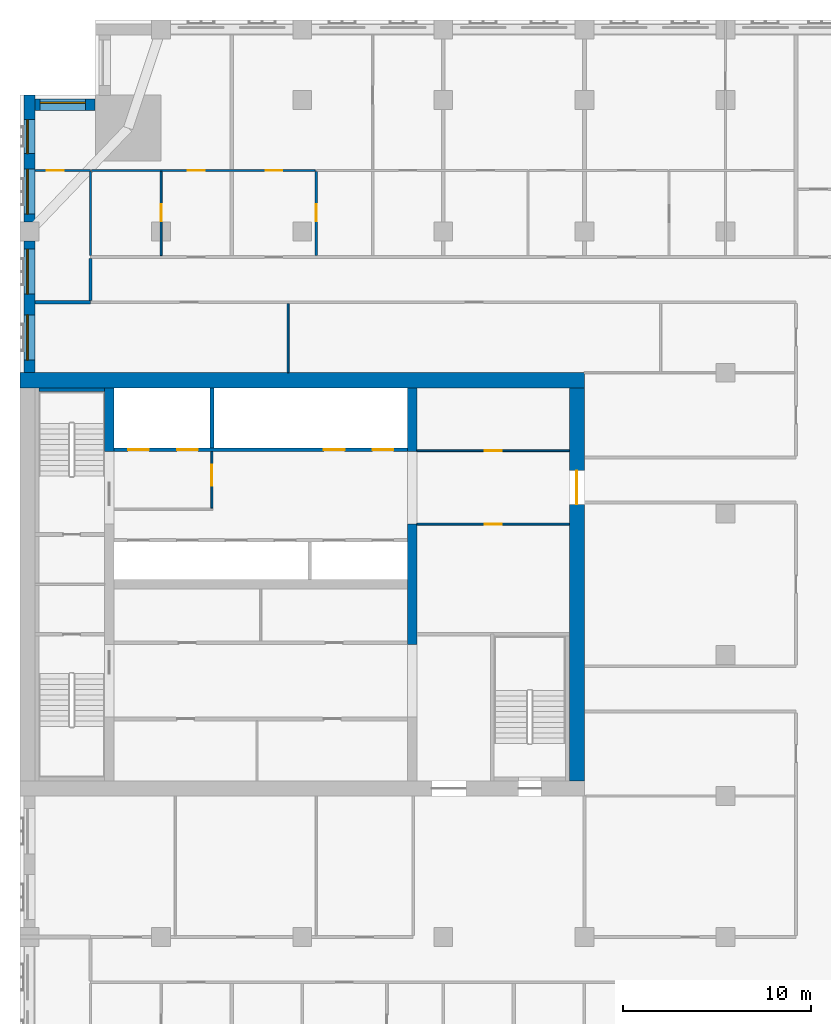
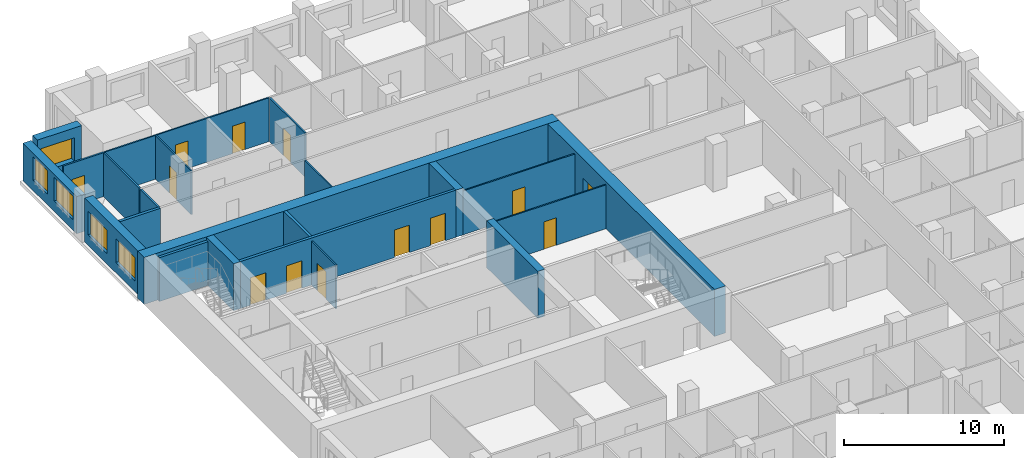
# One storey, part 8 of 13: 22 walls, 13 doors, 5 windows, 18 openings.
"""IFC4 building model written with IfcOpenShell, lengths in metres."""

import ifcopenshell
import ifcopenshell.guid

model = None  # the IFC model being written
_history = None  # IfcOwnerHistory: only IFC2X3 demands one
_inside = {}  # id of a spatial element -> (the spatial element, [elements in it])
_under = {}  # id of a project, library or spatial element -> (it, [spatial elements below it])
_declared = {}  # id of a project -> (the project, [libraries it declares])
_typed = {}  # id of a type object -> (the type object, [elements of that type])
_made_of = {}  # id of a material, layer set ... -> (it, [elements and type objects made of it])


def new_model(schema):
    """Start an empty IFC model of exactly this schema.

    Asked for "IFC4X3", IfcOpenShell would pick the latest addendum, in which some entities
    have other attributes; the version numbers below select the first issue.
    IFC2X3 requires an IfcOwnerHistory on every rooted entity: one is made here for all.
    """
    global model, _history
    if schema == "IFC4X3":
        model = ifcopenshell.file(schema_version=(4, 3, 0, 0))
    else:
        model = ifcopenshell.file(schema=schema)
    _inside.clear()
    _under.clear()
    _declared.clear()
    _typed.clear()
    _made_of.clear()
    _history = None
    if model.schema == "IFC2X3":
        org = make("IfcOrganization", Name="unknown")
        user = make(
            "IfcPersonAndOrganization",
            ThePerson=make("IfcPerson", FamilyName="unknown"),
            TheOrganization=org,
        )
        app = make(
            "IfcApplication",
            ApplicationDeveloper=org,
            Version="unknown",
            ApplicationFullName="unknown",
            ApplicationIdentifier="unknown",
        )
        _history = make(
            "IfcOwnerHistory",
            OwningUser=user,
            OwningApplication=app,
            ChangeAction="ADDED",
            CreationDate=0,
        )
    return model


def make(cls, **values):
    """One entity of the class cls with the attributes given. An attribute that is None is left unset."""
    return model.create_entity(
        cls, **{name: value for name, value in values.items() if value is not None}
    )


def rooted(cls, **values):
    """An entity with a GlobalId (a new one), such as an element, a storey or a relation."""
    return make(cls, GlobalId=ifcopenshell.guid.new(), OwnerHistory=_history, **values)


def si_unit(unit_type, name, prefix=None):
    """IfcSIUnit, for example si_unit("LENGTHUNIT", "METRE", prefix="MILLI")."""
    return make("IfcSIUnit", UnitType=unit_type, Prefix=prefix, Name=name)


def assignment(units):
    """IfcUnitAssignment: the units of a project."""
    return None if units is None else make("IfcUnitAssignment", Units=units)


def point(xyz):
    """IfcCartesianPoint."""
    return None if xyz is None else make("IfcCartesianPoint", Coordinates=xyz)


def direction(xyz):
    """IfcDirection."""
    return None if xyz is None else make("IfcDirection", DirectionRatios=xyz)


def frame(location, z_axis=None, x_axis=None):
    """IfcAxis2Placement3D, a coordinate frame: its origin and axes. An axis left out is left unset."""
    return make(
        "IfcAxis2Placement3D",
        Location=point(location),
        Axis=direction(z_axis),
        RefDirection=direction(x_axis),
    )


def frame_2d(location, x_axis=None):
    """IfcAxis2Placement2D, a coordinate frame in the plane: its origin and x axis."""
    return make(
        "IfcAxis2Placement2D", Location=point(location), RefDirection=direction(x_axis)
    )


def origin():
    """The frame at (0, 0, 0) with its axes left unset."""
    return frame((0.0, 0.0, 0.0))


def place(relative_to, where):
    """IfcLocalPlacement: puts the frame where relative to a parent placement (None: the world)."""
    return make(
        "IfcLocalPlacement", PlacementRelTo=relative_to, RelativePlacement=where
    )


def context(
    kind, dimensions, precision=None, world=None, true_north=None, identifier=None
):
    """IfcGeometricRepresentationContext, for example the 3D "Model" context."""
    return make(
        "IfcGeometricRepresentationContext",
        ContextIdentifier=identifier,
        ContextType=kind,
        CoordinateSpaceDimension=dimensions,
        Precision=precision,
        WorldCoordinateSystem=world,
        TrueNorth=true_north,
    )


def subcontext(parent, identifier, kind, view, scale=None):
    """IfcGeometricRepresentationSubContext, for example "Body" below "Model"."""
    return make(
        "IfcGeometricRepresentationSubContext",
        ContextIdentifier=identifier,
        ContextType=kind,
        ParentContext=parent,
        TargetScale=scale,
        TargetView=view,
    )


def project(units=None, contexts=None):
    """IfcProject with its units and contexts."""
    return rooted(
        "IfcProject",
        Name="project",
        RepresentationContexts=contexts,
        UnitsInContext=assignment(units),
    )


def spatial(cls, under=None, at=None, **own):
    """A site, building, storey or space (cls), placed at a placement, below another one or the project."""
    s = rooted(cls, ObjectPlacement=at, **own)
    if under is not None:
        _under.setdefault(under.id(), (under, []))[1].append(s)
    return s


def profile(cls, at=None, kind="AREA", **sizes):
    """A parametric profile (cls). Its sizes go by their IFC names, for example OverallWidth=200.0."""
    return make(cls, ProfileType=kind, Position=at, **sizes)


def rectangle(**sizes):
    """IfcRectangleProfileDef."""
    return profile("IfcRectangleProfileDef", **sizes)


def extrude(swept, where, along, depth):
    """IfcExtrudedAreaSolid: the profile swept, set in the frame where, extruded along a direction by depth."""
    return make(
        "IfcExtrudedAreaSolid",
        SweptArea=swept,
        Position=where,
        ExtrudedDirection=direction(along),
        Depth=depth,
    )


def shape(context_of_items, identifier, shape_type, items):
    """IfcShapeRepresentation: the items that make up one representation, for example the "Body"."""
    return make(
        "IfcShapeRepresentation",
        ContextOfItems=context_of_items,
        RepresentationIdentifier=identifier,
        RepresentationType=shape_type,
        Items=items,
    )


def material(Name=None, Category=None):
    """IfcMaterial."""
    return make("IfcMaterial", Name=Name, Category=Category)


def layer(
    of_material, thickness, ventilated=None, Name=None, Category=None, Priority=None
):
    """IfcMaterialLayer: one layer of a wall or slab, of a material (None: an air gap)."""
    return make(
        "IfcMaterialLayer",
        Material=of_material,
        LayerThickness=thickness,
        IsVentilated=ventilated,
        Name=Name,
        Category=Category,
        Priority=Priority,
    )


def layer_set(layers, Name=None):
    """IfcMaterialLayerSet."""
    return make("IfcMaterialLayerSet", MaterialLayers=layers, LayerSetName=Name)


def made_of(thing, what):
    """Note that an element or type object is made of a material, layer set ...; save() writes the relation."""
    if what is not None:
        _made_of.setdefault(what.id(), (what, []))[1].append(thing)
    return thing


def type_object(cls, material=None, **own):
    """A type object (cls), such as IfcWallType, which elements share."""
    return made_of(rooted(cls, **own), material)


def element(
    cls,
    number,
    at=None,
    inside=None,
    cuts=None,
    type_object=None,
    material=None,
    context=None,
    identifier="Body",
    shape_type=None,
    held_by="IfcProductDefinitionShape",
    body=None,
    shapes=None,
    **own,
):
    """One element of the class cls, such as IfcWall. Its Tag is "e" and its number.

    at: its placement. inside: the storey or other place that contains it. cuts: it is an
    opening in that element (IfcRelVoidsElement). A single representation is given by context,
    identifier, shape_type and body (its items); several are given by shapes. held_by: the class
    of the entity that holds the representations. save() writes the other relations.
    """
    e = rooted(cls, Tag="e%d" % number, ObjectPlacement=at, **own)
    if body is not None:
        shapes = [shape(context, identifier, shape_type, body)]
    if shapes is not None:
        e.Representation = make(held_by, Representations=shapes)
    if inside is not None:
        _inside.setdefault(inside.id(), (inside, []))[1].append(e)
    if cuts is not None:
        rooted(
            "IfcRelVoidsElement", RelatingBuildingElement=cuts, RelatedOpeningElement=e
        )
    if type_object is not None:
        _typed.setdefault(type_object.id(), (type_object, []))[1].append(e)
    return made_of(e, material)


def fill(opening, filler):
    """IfcRelFillsElement: the door or window that sits in an opening."""
    return rooted(
        "IfcRelFillsElement",
        RelatingOpeningElement=opening,
        RelatedBuildingElement=filler,
    )


def aggregate(whole, parts):
    """IfcRelAggregates: a whole, such as a stair, and the parts it consists of."""
    return rooted("IfcRelAggregates", RelatingObject=whole, RelatedObjects=parts)


def save(model, path):
    """Write the relations noted so far, then the file.

    IfcRelAggregates (storeys below a building ...), IfcRelContainedInSpatialStructure (elements
    in a storey), IfcRelDefinesByType, IfcRelAssociatesMaterial and IfcRelDeclares: one each for
    every whole, place, type object, material and project.
    """
    for whole, parts in _under.values():
        aggregate(whole, parts)
    for where, things in _inside.values():
        rooted(
            "IfcRelContainedInSpatialStructure",
            RelatedElements=things,
            RelatingStructure=where,
        )
    for kind, things in _typed.values():
        rooted("IfcRelDefinesByType", RelatedObjects=things, RelatingType=kind)
    for what, things in _made_of.values():
        rooted("IfcRelAssociatesMaterial", RelatedObjects=things, RelatingMaterial=what)
    for by, libraries in _declared.values():
        rooted("IfcRelDeclares", RelatingContext=by, RelatedDefinitions=libraries)
    model.write(path)


model = new_model("IFC4")

# Units and contexts
model_context = context("Model", 3, precision=1e-05, world=origin(), true_north=direction((0.0, 1.0)))
body_context = subcontext(model_context, "Body", "Model", "MODEL_VIEW")
ifc_project = project(units=[si_unit("LENGTHUNIT", "METRE"), si_unit("AREAUNIT", "SQUARE_METRE"), si_unit("VOLUMEUNIT", "CUBIC_METRE"), si_unit("PLANEANGLEUNIT", "RADIAN"), si_unit("MASSUNIT", "GRAM", prefix="KILO")], contexts=[model_context])

# Site, building, storey
site_placement = place(None, origin())
site = spatial("IfcSite", under=ifc_project, at=site_placement, CompositionType="ELEMENT")
building_placement = place(site_placement, origin())
building = spatial("IfcBuilding", under=site, at=building_placement, Name="Tamorin Gate", CompositionType="ELEMENT")
storey_placement = place(building_placement, frame((0.0, 0.0, 144.60009765625)))
storey = spatial("IfcBuildingStorey", under=building, at=storey_placement, Name="L35", CompositionType="ELEMENT", Elevation=144.60009765625)

# Wall, opening, window
ifc_material_1 = material(Name="Precast concrete C40/50", Category="concrete")
ifc_layer_1 = layer(ifc_material_1, 0.60009765625)
ifc_layer_set_1 = layer_set([ifc_layer_1], Name="Precast concrete C40/50")
wall_type_1 = type_object("IfcWallType", Name="Board-marked concrete facade panel 600", PredefinedType="SOLIDWALL", material=ifc_layer_set_1)
wall_1_placement = place(storey_placement, frame((34.0, 96.75, 0.0), z_axis=(0.0, 0.0, 1.0), x_axis=(-1.0, 0.0, 0.0)))
wall_1 = element("IfcWall", 1, at=wall_1_placement, inside=storey, type_object=wall_type_1, Name="Facade panel", PredefinedType="SOLIDWALL", context=body_context, shape_type="SweptSolid", body=[
    extrude(rectangle(XDim=3.199951171875, YDim=0.60009765625, at=frame_2d((1.60009765625, 0.0))), origin(), (0.0, 0.0, 1.0), 3.349853515625),
])
opening_1_placement = place(wall_1_placement, frame((0.52490234375, 0.0, 0.800048828125)))
opening_1 = element("IfcOpeningElement", 2, at=opening_1_placement, cuts=wall_1, Name="Opening WN1", PredefinedType="OPENING", context=body_context, shape_type="SweptSolid", body=[
    extrude(rectangle(XDim=2.39990234375, YDim=1.800048828125, at=frame_2d((1.199951171875, 0.89990234375))), frame((0.0, 0.31005859375, 0.0), z_axis=(0.0, -1.0, 0.0), x_axis=(1.0, 0.0, 0.0)), (0.0, 0.0, 1.0), 0.6201171875),
])
ifc_material_2 = material(Name="Clear glass in aluminium frame", Category="aluminium")
window_type_1 = type_object("IfcWindowType", Name="Deep-set window 2400x1800", PartitioningType="SINGLE_PANEL", PredefinedType="WINDOW", material=ifc_material_2)
window_1_placement = place(opening_1_placement, origin())
window_1 = element("IfcWindow", 3, at=window_1_placement, inside=storey, type_object=window_type_1, Name="Deep-set window", OverallHeight=1.800048828125, OverallWidth=2.39990234375, PartitioningType="SINGLE_PANEL", PredefinedType="WINDOW", context=body_context, shape_type="SweptSolid", body=[
    extrude(rectangle(XDim=2.39990234375, YDim=1.800048828125, at=frame_2d((1.199951171875, 0.89990234375))), frame((0.0, -0.070068359375, 0.0), z_axis=(0.0, -1.0, 0.0), x_axis=(1.0, 0.0, 0.0)), (0.0, 0.0, 1.0), 0.06005859375),
])
fill(opening_1, window_1)

# Wall, openings, windows
wall_2_placement = place(storey_placement, frame((30.5, 97.25, 0.0), z_axis=(0.0, 0.0, 1.0), x_axis=(0.0, -1.0, 0.0)))
wall_2 = element("IfcWall", 4, at=wall_2_placement, inside=storey, type_object=wall_type_1, Name="Facade panel", PredefinedType="SOLIDWALL", context=body_context, shape_type="SweptSolid", body=[
    extrude(rectangle(XDim=6.75, YDim=0.60009765625, at=frame_2d((3.375, 0.0))), origin(), (0.0, 0.0, 1.0), 2.849853515625),
])
opening_2_placement = place(wall_2_placement, frame((3.925048828125, 0.0, 0.800048828125)))
opening_2 = element("IfcOpeningElement", 5, at=opening_2_placement, cuts=wall_2, Name="Opening WN1", PredefinedType="OPENING", context=body_context, shape_type="SweptSolid", body=[
    extrude(rectangle(XDim=2.39990234375, YDim=1.800048828125, at=frame_2d((1.199951171875, 0.89990234375))), frame((0.0, 0.31005859375, 0.0), z_axis=(0.0, -1.0, 0.0), x_axis=(1.0, 0.0, 0.0)), (0.0, 0.0, 1.0), 0.6201171875),
])
opening_3_placement = place(wall_2_placement, frame((1.300048828125, 0.0, 0.800048828125)))
opening_3 = element("IfcOpeningElement", 6, at=opening_3_placement, cuts=wall_2, Name="Opening WN2", PredefinedType="OPENING", context=body_context, shape_type="SweptSolid", body=[
    extrude(rectangle(XDim=1.800048828125, YDim=1.800048828125, at=frame_2d((0.89990234375, 0.89990234375))), frame((0.0, 0.31005859375, 0.0), z_axis=(0.0, -1.0, 0.0), x_axis=(1.0, 0.0, 0.0)), (0.0, 0.0, 1.0), 0.6201171875),
])
window_type_2 = type_object("IfcWindowType", Name="Deep-set window 1800x1800", PartitioningType="SINGLE_PANEL", PredefinedType="WINDOW", material=ifc_material_2)
window_2_placement = place(opening_3_placement, origin())
window_2 = element("IfcWindow", 7, at=window_2_placement, inside=storey, type_object=window_type_2, Name="Deep-set window", OverallHeight=1.800048828125, OverallWidth=1.800048828125, PartitioningType="SINGLE_PANEL", PredefinedType="WINDOW", context=body_context, shape_type="SweptSolid", body=[
    extrude(rectangle(XDim=1.800048828125, YDim=1.800048828125, at=frame_2d((0.89990234375, 0.89990234375))), frame((0.0, -0.070068359375, 0.0), z_axis=(0.0, -1.0, 0.0), x_axis=(1.0, 0.0, 0.0)), (0.0, 0.0, 1.0), 0.06005859375),
])
fill(opening_3, window_2)
window_3_placement = place(opening_2_placement, origin())
window_3 = element("IfcWindow", 8, at=window_3_placement, inside=storey, type_object=window_type_1, Name="Deep-set window", OverallHeight=1.800048828125, OverallWidth=2.39990234375, PartitioningType="SINGLE_PANEL", PredefinedType="WINDOW", context=body_context, shape_type="SweptSolid", body=[
    extrude(rectangle(XDim=2.39990234375, YDim=1.800048828125, at=frame_2d((1.199951171875, 0.89990234375))), frame((0.0, -0.070068359375, 0.0), z_axis=(0.0, -1.0, 0.0), x_axis=(1.0, 0.0, 0.0)), (0.0, 0.0, 1.0), 0.06005859375),
])
fill(opening_2, window_3)

wall_3_placement = place(storey_placement, frame((30.5, 89.5, 0.0), z_axis=(0.0, 0.0, 1.0), x_axis=(0.0, -1.0, 0.0)))
wall_3 = element("IfcWall", 9, at=wall_3_placement, inside=storey, type_object=wall_type_1, Name="Facade panel", PredefinedType="SOLIDWALL", context=body_context, shape_type="SweptSolid", body=[
    extrude(rectangle(XDim=7.0, YDim=0.60009765625, at=frame_2d((3.5, 0.0))), origin(), (0.0, 0.0, 1.0), 3.349853515625),
])
opening_4_placement = place(wall_3_placement, frame((3.925048828125, 0.0, 0.800048828125)))
opening_4 = element("IfcOpeningElement", 10, at=opening_4_placement, cuts=wall_3, Name="Opening WN1", PredefinedType="OPENING", context=body_context, shape_type="SweptSolid", body=[
    extrude(rectangle(XDim=2.39990234375, YDim=1.800048828125, at=frame_2d((1.199951171875, 0.89990234375))), frame((0.0, 0.31005859375, 0.0), z_axis=(0.0, -1.0, 0.0), x_axis=(1.0, 0.0, 0.0)), (0.0, 0.0, 1.0), 0.6201171875),
])
opening_5_placement = place(wall_3_placement, frame((0.425048828125, 0.0, 0.800048828125)))
opening_5 = element("IfcOpeningElement", 11, at=opening_5_placement, cuts=wall_3, Name="Opening WN1", PredefinedType="OPENING", context=body_context, shape_type="SweptSolid", body=[
    extrude(rectangle(XDim=2.39990234375, YDim=1.800048828125, at=frame_2d((1.199951171875, 0.89990234375))), frame((0.0, 0.31005859375, 0.0), z_axis=(0.0, -1.0, 0.0), x_axis=(1.0, 0.0, 0.0)), (0.0, 0.0, 1.0), 0.6201171875),
])
window_4_placement = place(opening_4_placement, origin())
window_4 = element("IfcWindow", 12, at=window_4_placement, inside=storey, type_object=window_type_1, Name="Deep-set window", OverallHeight=1.800048828125, OverallWidth=2.39990234375, PartitioningType="SINGLE_PANEL", PredefinedType="WINDOW", context=body_context, shape_type="SweptSolid", body=[
    extrude(rectangle(XDim=2.39990234375, YDim=1.800048828125, at=frame_2d((1.199951171875, 0.89990234375))), frame((0.0, -0.070068359375, 0.0), z_axis=(0.0, -1.0, 0.0), x_axis=(1.0, 0.0, 0.0)), (0.0, 0.0, 1.0), 0.06005859375),
])
fill(opening_4, window_4)
window_5_placement = place(opening_5_placement, origin())
window_5 = element("IfcWindow", 13, at=window_5_placement, inside=storey, type_object=window_type_1, Name="Deep-set window", OverallHeight=1.800048828125, OverallWidth=2.39990234375, PartitioningType="SINGLE_PANEL", PredefinedType="WINDOW", context=body_context, shape_type="SweptSolid", body=[
    extrude(rectangle(XDim=2.39990234375, YDim=1.800048828125, at=frame_2d((1.199951171875, 0.89990234375))), frame((0.0, -0.070068359375, 0.0), z_axis=(0.0, -1.0, 0.0), x_axis=(1.0, 0.0, 0.0)), (0.0, 0.0, 1.0), 0.06005859375),
])
fill(opening_5, window_5)

# Walls
ifc_material_3 = material(Name="Gypsum board partition")
ifc_layer_2 = layer(ifc_material_3, 0.14990234375)
ifc_layer_set_2 = layer_set([ifc_layer_2], Name="Corridor wall 150")
wall_type_2 = type_object("IfcWallType", Name="Corridor wall 150", PredefinedType="PARTITIONING", material=ifc_layer_set_2)
wall_4_placement = place(storey_placement, frame((33.75, 86.35009765625, 0.0), z_axis=(0.0, 0.0, 1.0), x_axis=(0.0, 1.0, 0.0)))
element("IfcWall", 14, at=wall_4_placement, inside=storey, type_object=wall_type_2, Name="Corridor wall 150", PredefinedType="PARTITIONING", context=body_context, shape_type="SweptSolid", body=[
    extrude(rectangle(XDim=2.224853515625, YDim=0.14990234375, at=frame_2d((1.1123046875, 0.0))), origin(), (0.0, 0.0, 1.0), 3.349853515625),
])
ifc_layer_3 = layer(ifc_material_3, 0.199951171875)
ifc_layer_set_3 = layer_set([ifc_layer_3], Name="Demising wall 200")
wall_type_3 = type_object("IfcWallType", Name="Demising wall 200", PredefinedType="PARTITIONING", material=ifc_layer_set_3)
wall_5_placement = place(storey_placement, frame((30.81005859375, 86.25, 0.0), z_axis=(0.0, 0.0, 1.0), x_axis=(1.0, 0.0, 0.0)))
element("IfcWall", 15, at=wall_5_placement, inside=storey, type_object=wall_type_3, Name="Demising wall 200", PredefinedType="PARTITIONING", context=body_context, shape_type="SweptSolid", body=[
    extrude(rectangle(XDim=2.93994140625, YDim=0.199951171875, at=frame_2d((1.469970703125, 0.0))), origin(), (0.0, 0.0, 1.0), 3.349853515625),
])

# Wall, openings, doors
ifc_material_4 = material(Name="Concrete C32/40", Category="concrete")
ifc_layer_4 = layer(ifc_material_4, 0.199951171875)
ifc_layer_set_4 = layer_set([ifc_layer_4], Name="Lift lobby face wall 200 EI 120")
wall_type_4 = type_object("IfcWallType", Name="Lift lobby face wall 200 EI 120", PredefinedType="SOLIDWALL", material=ifc_layer_set_4)
wall_6_placement = place(storey_placement, frame((35.0, 78.39990234375, 0.0), z_axis=(0.0, 0.0, 1.0), x_axis=(1.0, 0.0, 0.0)))
wall_6 = element("IfcWall", 16, at=wall_6_placement, inside=storey, type_object=wall_type_4, Name="Lift lobby face wall", PredefinedType="SOLIDWALL", context=body_context, shape_type="SweptSolid", body=[
    extrude(rectangle(XDim=15.60009765625, YDim=0.199951171875, at=frame_2d((7.800048828125, 0.0))), origin(), (0.0, 0.0, 1.0), 3.599853515625),
])
opening_6_placement = place(wall_6_placement, frame((0.75, 0.0, 0.0)))
opening_6 = element("IfcOpeningElement", 17, at=opening_6_placement, cuts=wall_6, Name="Opening LD17", PredefinedType="OPENING", context=body_context, shape_type="SweptSolid", body=[
    extrude(rectangle(XDim=1.10009765625, YDim=2.10009765625, at=frame_2d((0.550048828125, 1.050048828125))), frame((0.0, 0.10986328125, 0.0), z_axis=(0.0, -1.0, 0.0), x_axis=(1.0, 0.0, 0.0)), (0.0, 0.0, 1.0), 0.219970703125),
])
opening_7_placement = place(wall_6_placement, frame((3.35009765625, 0.0, 0.0)))
opening_7 = element("IfcOpeningElement", 18, at=opening_7_placement, cuts=wall_6, Name="Opening LD18", PredefinedType="OPENING", context=body_context, shape_type="SweptSolid", body=[
    extrude(rectangle(XDim=1.10009765625, YDim=2.10009765625, at=frame_2d((0.550048828125, 1.050048828125))), frame((0.0, 0.10986328125, 0.0), z_axis=(0.0, -1.0, 0.0), x_axis=(1.0, 0.0, 0.0)), (0.0, 0.0, 1.0), 0.219970703125),
])
opening_8_placement = place(wall_6_placement, frame((11.14990234375, 0.0, 0.0)))
opening_8 = element("IfcOpeningElement", 19, at=opening_8_placement, cuts=wall_6, Name="Opening LD21", PredefinedType="OPENING", context=body_context, shape_type="SweptSolid", body=[
    extrude(rectangle(XDim=1.10009765625, YDim=2.10009765625, at=frame_2d((0.550048828125, 1.050048828125))), frame((0.0, 0.10986328125, 0.0), z_axis=(0.0, -1.0, 0.0), x_axis=(1.0, 0.0, 0.0)), (0.0, 0.0, 1.0), 0.219970703125),
])
opening_9_placement = place(wall_6_placement, frame((13.75, 0.0, 0.0)))
opening_9 = element("IfcOpeningElement", 20, at=opening_9_placement, cuts=wall_6, Name="Opening LD22", PredefinedType="OPENING", context=body_context, shape_type="SweptSolid", body=[
    extrude(rectangle(XDim=1.10009765625, YDim=2.10009765625, at=frame_2d((0.550048828125, 1.050048828125))), frame((0.0, 0.10986328125, 0.0), z_axis=(0.0, -1.0, 0.0), x_axis=(1.0, 0.0, 0.0)), (0.0, 0.0, 1.0), 0.219970703125),
])
ifc_material_5 = material(Name="Stainless steel sliding door", Category="steel")
door_type_1 = type_object("IfcDoorType", Name="Lift landing door 1100 x 2100 E 90", OperationType="DOUBLE_DOOR_SLIDING", PredefinedType="DOOR", material=ifc_material_5)
door_1_placement = place(opening_6_placement, origin())
door_1 = element("IfcDoor", 21, at=door_1_placement, inside=storey, type_object=door_type_1, Name="FF1 landing door", OperationType="DOUBLE_DOOR_SLIDING", OverallHeight=2.10009765625, OverallWidth=1.10009765625, PredefinedType="DOOR", context=body_context, shape_type="SweptSolid", body=[
    extrude(rectangle(XDim=1.10009765625, YDim=2.10009765625, at=frame_2d((0.550048828125, 1.050048828125))), frame((0.0, 0.02490234375, 0.0), z_axis=(0.0, -1.0, 0.0), x_axis=(1.0, 0.0, 0.0)), (0.0, 0.0, 1.0), 0.050048828125),
])
fill(opening_6, door_1)
door_2_placement = place(opening_7_placement, origin())
door_2 = element("IfcDoor", 22, at=door_2_placement, inside=storey, type_object=door_type_1, Name="FF2 landing door", OperationType="DOUBLE_DOOR_SLIDING", OverallHeight=2.10009765625, OverallWidth=1.10009765625, PredefinedType="DOOR", context=body_context, shape_type="SweptSolid", body=[
    extrude(rectangle(XDim=1.10009765625, YDim=2.10009765625, at=frame_2d((0.550048828125, 1.050048828125))), frame((0.0, 0.02490234375, 0.0), z_axis=(0.0, -1.0, 0.0), x_axis=(1.0, 0.0, 0.0)), (0.0, 0.0, 1.0), 0.050048828125),
])
fill(opening_7, door_2)
door_3_placement = place(opening_8_placement, origin())
door_3 = element("IfcDoor", 23, at=door_3_placement, inside=storey, type_object=door_type_1, Name="SV1 landing door", OperationType="DOUBLE_DOOR_SLIDING", OverallHeight=2.10009765625, OverallWidth=1.10009765625, PredefinedType="DOOR", context=body_context, shape_type="SweptSolid", body=[
    extrude(rectangle(XDim=1.10009765625, YDim=2.10009765625, at=frame_2d((0.550048828125, 1.050048828125))), frame((0.0, 0.02490234375, 0.0), z_axis=(0.0, -1.0, 0.0), x_axis=(1.0, 0.0, 0.0)), (0.0, 0.0, 1.0), 0.050048828125),
])
fill(opening_8, door_3)
door_4_placement = place(opening_9_placement, origin())
door_4 = element("IfcDoor", 24, at=door_4_placement, inside=storey, type_object=door_type_1, Name="SV2 landing door", OperationType="DOUBLE_DOOR_SLIDING", OverallHeight=2.10009765625, OverallWidth=1.10009765625, PredefinedType="DOOR", context=body_context, shape_type="SweptSolid", body=[
    extrude(rectangle(XDim=1.10009765625, YDim=2.10009765625, at=frame_2d((0.550048828125, 1.050048828125))), frame((0.0, 0.02490234375, 0.0), z_axis=(0.0, -1.0, 0.0), x_axis=(1.0, 0.0, 0.0)), (0.0, 0.0, 1.0), 0.050048828125),
])
fill(opening_9, door_4)

# Wall
ifc_layer_5 = layer(ifc_material_4, 0.199951171875)
ifc_layer_set_5 = layer_set([ifc_layer_5], Name="Lift shaft wall 200 EI 120")
wall_type_5 = type_object("IfcWallType", Name="Lift shaft wall 200 EI 120", PredefinedType="SOLIDWALL", material=ifc_layer_set_5)
wall_7_placement = place(storey_placement, frame((40.199951171875, 78.5, 0.0), z_axis=(0.0, 0.0, 1.0), x_axis=(0.0, 1.0, 0.0)))
element("IfcWall", 25, at=wall_7_placement, inside=storey, type_object=wall_type_5, Name="Lift shaft wall", PredefinedType="SOLIDWALL", context=body_context, shape_type="SweptSolid", body=[
    extrude(rectangle(XDim=3.199951171875, YDim=0.199951171875, at=frame_2d((1.60009765625, 0.0))), origin(), (0.0, 0.0, 1.0), 3.599853515625),
])

# Wall, opening, door
ifc_material_6 = material(Name="Fire-rated gypsum board partition")
ifc_layer_6 = layer(ifc_material_6, 0.10009765625)
ifc_layer_set_6 = layer_set([ifc_layer_6], Name="Lobby wall 100 EI 60")
wall_type_6 = type_object("IfcWallType", Name="Lobby wall 100 EI 60", PredefinedType="PARTITIONING", material=ifc_layer_set_6)
wall_8_placement = place(storey_placement, frame((40.199951171875, 75.300048828125, 0.0), z_axis=(0.0, 0.0, 1.0), x_axis=(0.0, 1.0, 0.0)))
wall_8 = element("IfcWall", 26, at=wall_8_placement, inside=storey, type_object=wall_type_6, Name="Firefighting lobby wall", PredefinedType="PARTITIONING", context=body_context, shape_type="SweptSolid", body=[
    extrude(rectangle(XDim=3.0, YDim=0.10009765625, at=frame_2d((1.5, 0.0))), origin(), (0.0, 0.0, 1.0), 3.349853515625),
])
opening_10_placement = place(wall_8_placement, frame((1.199951171875, 0.0, 0.0)))
opening_10 = element("IfcOpeningElement", 27, at=opening_10_placement, cuts=wall_8, Name="Opening DF1", PredefinedType="OPENING", context=body_context, shape_type="SweptSolid", body=[
    extrude(rectangle(XDim=1.10009765625, YDim=2.10009765625, at=frame_2d((0.550048828125, 1.050048828125))), frame((0.0, 0.06005859375, 0.0), z_axis=(0.0, -1.0, 0.0), x_axis=(1.0, 0.0, 0.0)), (0.0, 0.0, 1.0), 0.1201171875),
])
ifc_material_7 = material(Name="Steel fire door", Category="steel")
door_type_2 = type_object("IfcDoorType", Name="Firefighting lobby door 1100 x 2100 EI 90", OperationType="SINGLE_SWING_LEFT", PredefinedType="DOOR", material=ifc_material_7)
door_5_placement = place(opening_10_placement, origin())
door_5 = element("IfcDoor", 28, at=door_5_placement, inside=storey, type_object=door_type_2, Name="Firefighting lobby door", OperationType="SINGLE_SWING_LEFT", OverallHeight=2.10009765625, OverallWidth=1.10009765625, PredefinedType="DOOR", context=body_context, shape_type="SweptSolid", body=[
    extrude(rectangle(XDim=1.10009765625, YDim=2.10009765625, at=frame_2d((0.550048828125, 1.050048828125))), frame((0.0, 0.02490234375, 0.0), z_axis=(0.0, -1.0, 0.0), x_axis=(1.0, 0.0, 0.0)), (0.0, 0.0, 1.0), 0.050048828125),
])
fill(opening_10, door_5)

# Walls
ifc_material_8 = material(Name="Concrete C60/75", Category="concrete")
ifc_layer_7 = layer(ifc_material_8, 0.5)
ifc_layer_set_7 = layer_set([ifc_layer_7], Name="RC core internal wall 500 C60/75")
wall_type_7 = type_object("IfcWallType", Name="RC core internal wall 500 C60/75", PredefinedType="SHEAR", material=ifc_layer_set_7)
wall_9_placement = place(storey_placement, frame((34.75, 78.300048828125, 0.0), z_axis=(0.0, 0.0, 1.0), x_axis=(0.0, 1.0, 0.0)))
element("IfcWall", 29, at=wall_9_placement, inside=storey, type_object=wall_type_7, Name="Core cross wall L35", PredefinedType="SHEAR", context=body_context, shape_type="SweptSolid", body=[
    extrude(rectangle(XDim=3.39990234375, YDim=0.5, at=frame_2d((1.699951171875, 0.0))), origin(), (0.0, 0.0, 1.0), 3.599853515625),
])
wall_10_placement = place(storey_placement, frame((50.85009765625, 68.050048828125, 0.0), z_axis=(0.0, 0.0, 1.0), x_axis=(0.0, 1.0, 0.0)))
element("IfcWall", 30, at=wall_10_placement, inside=storey, type_object=wall_type_7, Name="Core cross wall L35", PredefinedType="SHEAR", context=body_context, shape_type="SweptSolid", body=[
    extrude(rectangle(XDim=6.39990234375, YDim=0.5, at=frame_2d((3.199951171875, 0.0))), origin(), (0.0, 0.0, 1.0), 3.599853515625),
])
wall_11_placement = place(storey_placement, frame((50.85009765625, 78.300048828125, 0.0), z_axis=(0.0, 0.0, 1.0), x_axis=(0.0, 1.0, 0.0)))
element("IfcWall", 31, at=wall_11_placement, inside=storey, type_object=wall_type_7, Name="Core cross wall L35", PredefinedType="SHEAR", context=body_context, shape_type="SweptSolid", body=[
    extrude(rectangle(XDim=3.39990234375, YDim=0.5, at=frame_2d((1.699951171875, 0.0))), origin(), (0.0, 0.0, 1.0), 3.599853515625),
])
ifc_layer_8 = layer(ifc_material_8, 0.800048828125)
ifc_layer_set_8 = layer_set([ifc_layer_8], Name="RC core wall 800 C60/75")
wall_type_8 = type_object("IfcWallType", Name="RC core wall 800 C60/75", PredefinedType="SHEAR", material=ifc_layer_set_8)
wall_12_placement = place(storey_placement, frame((30.0, 82.10009765625, 0.0), z_axis=(0.0, 0.0, 1.0), x_axis=(1.0, 0.0, 0.0)))
element("IfcWall", 32, at=wall_12_placement, inside=storey, type_object=wall_type_8, Name="Core wall L35", PredefinedType="SHEAR", context=body_context, shape_type="SweptSolid", body=[
    extrude(rectangle(XDim=30.0, YDim=0.800048828125, at=frame_2d((15.0, 0.0))), origin(), (0.0, 0.0, 1.0), 3.599853515625),
])

# Wall, opening, door
wall_13_placement = place(storey_placement, frame((59.60009765625, 60.800048828125, 0.0), z_axis=(0.0, 0.0, 1.0), x_axis=(0.0, 1.0, 0.0)))
wall_13 = element("IfcWall", 33, at=wall_13_placement, inside=storey, type_object=wall_type_8, Name="Core wall L35", PredefinedType="SHEAR", context=body_context, shape_type="SweptSolid", body=[
    extrude(rectangle(XDim=20.89990234375, YDim=0.800048828125, at=frame_2d((10.449951171875, 0.0))), origin(), (0.0, 0.0, 1.0), 3.599853515625),
])
opening_11_placement = place(wall_13_placement, frame((14.699951171875, 0.0, 0.0)))
opening_11 = element("IfcOpeningElement", 34, at=opening_11_placement, cuts=wall_13, Name="Opening DE1", PredefinedType="OPENING", context=body_context, shape_type="SweptSolid", body=[
    extrude(rectangle(XDim=1.800048828125, YDim=2.10009765625, at=frame_2d((0.89990234375, 1.050048828125))), frame((0.0, 0.409912109375, 0.0), z_axis=(0.0, -1.0, 0.0), x_axis=(1.0, 0.0, 0.0)), (0.0, 0.0, 1.0), 0.820068359375),
])
door_type_3 = type_object("IfcDoorType", Name="Lobby exit double door 1800 x 2100 EI 60", OperationType="DOUBLE_DOOR_SINGLE_SWING", PredefinedType="DOOR", material=ifc_material_7)
door_6_placement = place(opening_11_placement, origin())
door_6 = element("IfcDoor", 35, at=door_6_placement, inside=storey, type_object=door_type_3, Name="Lift lobby B exit door", OperationType="DOUBLE_DOOR_SINGLE_SWING", OverallHeight=2.10009765625, OverallWidth=1.800048828125, PredefinedType="DOOR", context=body_context, shape_type="SweptSolid", body=[
    extrude(rectangle(XDim=1.800048828125, YDim=2.10009765625, at=frame_2d((0.89990234375, 1.050048828125))), frame((0.0, 0.02490234375, 0.0), z_axis=(0.0, -1.0, 0.0), x_axis=(1.0, 0.0, 0.0)), (0.0, 0.0, 1.0), 0.050048828125),
])
fill(opening_11, door_6)

# Wall, openings, doors
ifc_layer_9 = layer(ifc_material_3, 0.10009765625)
ifc_layer_set_9 = layer_set([ifc_layer_9], Name="Room partition 100")
wall_type_9 = type_object("IfcWallType", Name="Room partition 100", PredefinedType="PARTITIONING", material=ifc_layer_set_9)
wall_14_placement = place(storey_placement, frame((33.8125, 93.25, 0.0), z_axis=(0.0, 0.0, 1.0), x_axis=(1.0, 0.0, 0.0)))
wall_14 = element("IfcWall", 36, at=wall_14_placement, inside=storey, type_object=wall_type_9, Name="Room partition 100", PredefinedType="PARTITIONING", context=body_context, shape_type="SweptSolid", body=[
    extrude(rectangle(XDim=11.875, YDim=0.10009765625, at=frame_2d((5.9375, 0.0))), origin(), (0.0, 0.0, 1.0), 3.349853515625),
])
opening_12_placement = place(wall_14_placement, frame((5.112548828125, 0.0, 0.0)))
opening_12 = element("IfcOpeningElement", 37, at=opening_12_placement, cuts=wall_14, Name="Opening DS1022", PredefinedType="OPENING", context=body_context, shape_type="SweptSolid", body=[
    extrude(rectangle(XDim=0.89990234375, YDim=2.10009765625, at=frame_2d((0.449951171875, 1.050048828125))), frame((0.0, 0.06005859375, 0.0), z_axis=(0.0, -1.0, 0.0), x_axis=(1.0, 0.0, 0.0)), (0.0, 0.0, 1.0), 0.1201171875),
])
opening_13_placement = place(wall_14_placement, frame((9.237548828125, 0.0, 0.0)))
opening_13 = element("IfcOpeningElement", 38, at=opening_13_placement, cuts=wall_14, Name="Opening DS1024", PredefinedType="OPENING", context=body_context, shape_type="SweptSolid", body=[
    extrude(rectangle(XDim=0.89990234375, YDim=2.10009765625, at=frame_2d((0.449951171875, 1.050048828125))), frame((0.0, 0.06005859375, 0.0), z_axis=(0.0, -1.0, 0.0), x_axis=(1.0, 0.0, 0.0)), (0.0, 0.0, 1.0), 0.1201171875),
])
ifc_material_9 = material(Name="Timber door leaf", Category="wood")
door_type_4 = type_object("IfcDoorType", Name="Door 900 x 2100", OperationType="NOTDEFINED", PredefinedType="DOOR", material=ifc_material_9)
door_7_placement = place(opening_12_placement, origin())
door_7 = element("IfcDoor", 39, at=door_7_placement, inside=storey, type_object=door_type_4, Name="Door DS1022", OperationType="SINGLE_SWING_RIGHT", OverallHeight=2.10009765625, OverallWidth=0.89990234375, PredefinedType="DOOR", context=body_context, shape_type="SweptSolid", body=[
    extrude(rectangle(XDim=0.89990234375, YDim=2.10009765625, at=frame_2d((0.449951171875, 1.050048828125))), frame((0.0, 0.02490234375, 0.0), z_axis=(0.0, -1.0, 0.0), x_axis=(1.0, 0.0, 0.0)), (0.0, 0.0, 1.0), 0.050048828125),
])
fill(opening_12, door_7)
door_8_placement = place(opening_13_placement, origin())
door_8 = element("IfcDoor", 40, at=door_8_placement, inside=storey, type_object=door_type_4, Name="Door DS1024", OperationType="SINGLE_SWING_RIGHT", OverallHeight=2.10009765625, OverallWidth=0.89990234375, PredefinedType="DOOR", context=body_context, shape_type="SweptSolid", body=[
    extrude(rectangle(XDim=0.89990234375, YDim=2.10009765625, at=frame_2d((0.449951171875, 1.050048828125))), frame((0.0, 0.02490234375, 0.0), z_axis=(0.0, -1.0, 0.0), x_axis=(1.0, 0.0, 0.0)), (0.0, 0.0, 1.0), 0.050048828125),
])
fill(opening_13, door_8)

# Wall, opening, door
wall_15_placement = place(storey_placement, frame((37.5, 88.72509765625, 0.0), z_axis=(0.0, 0.0, 1.0), x_axis=(0.0, 1.0, 0.0)))
wall_15 = element("IfcWall", 41, at=wall_15_placement, inside=storey, type_object=wall_type_9, Name="Room partition 100", PredefinedType="PARTITIONING", context=body_context, shape_type="SweptSolid", body=[
    extrude(rectangle(XDim=4.474853515625, YDim=0.10009765625, at=frame_2d((2.2373046875, 0.0))), origin(), (0.0, 0.0, 1.0), 3.349853515625),
])
opening_14_placement = place(wall_15_placement, frame((1.824951171875, 0.0, 0.0)))
opening_14 = element("IfcOpeningElement", 42, at=opening_14_placement, cuts=wall_15, Name="Opening DS1020", PredefinedType="OPENING", context=body_context, shape_type="SweptSolid", body=[
    extrude(rectangle(XDim=0.89990234375, YDim=2.10009765625, at=frame_2d((0.449951171875, 1.050048828125))), frame((0.0, 0.06005859375, 0.0), z_axis=(0.0, -1.0, 0.0), x_axis=(1.0, 0.0, 0.0)), (0.0, 0.0, 1.0), 0.1201171875),
])
door_9_placement = place(opening_14_placement, origin())
door_9 = element("IfcDoor", 43, at=door_9_placement, inside=storey, type_object=door_type_4, Name="Door DS1020", OperationType="SINGLE_SWING_RIGHT", OverallHeight=2.10009765625, OverallWidth=0.89990234375, PredefinedType="DOOR", context=body_context, shape_type="SweptSolid", body=[
    extrude(rectangle(XDim=0.89990234375, YDim=2.10009765625, at=frame_2d((0.449951171875, 1.050048828125))), frame((0.0, 0.02490234375, 0.0), z_axis=(0.0, -1.0, 0.0), x_axis=(1.0, 0.0, 0.0)), (0.0, 0.0, 1.0), 0.050048828125),
])
fill(opening_14, door_9)

# Wall
wall_16_placement = place(storey_placement, frame((44.25, 82.5, 0.0), z_axis=(0.0, 0.0, 1.0), x_axis=(0.0, 1.0, 0.0)))
element("IfcWall", 44, at=wall_16_placement, inside=storey, type_object=wall_type_9, Name="Room partition 100", PredefinedType="PARTITIONING", context=body_context, shape_type="SweptSolid", body=[
    extrude(rectangle(XDim=3.675048828125, YDim=0.10009765625, at=frame_2d((1.83740234375, 0.0))), origin(), (0.0, 0.0, 1.0), 3.349853515625),
])

# Wall, opening, door
ifc_layer_10 = layer(ifc_material_3, 0.10009765625)
ifc_layer_set_10 = layer_set([ifc_layer_10], Name="Service room partition 100 EI 60")
wall_type_10 = type_object("IfcWallType", Name="Service room partition 100 EI 60", PredefinedType="PARTITIONING", material=ifc_layer_set_10)
wall_17_placement = place(storey_placement, frame((51.10009765625, 74.449951171875, 0.0), z_axis=(0.0, 0.0, 1.0), x_axis=(1.0, 0.0, 0.0)))
wall_17 = element("IfcWall", 45, at=wall_17_placement, inside=storey, type_object=wall_type_10, Name="Service room wall", PredefinedType="PARTITIONING", context=body_context, shape_type="SweptSolid", body=[
    extrude(rectangle(XDim=8.099853515625, YDim=0.10009765625, at=frame_2d((4.0498046875, 0.0))), origin(), (0.0, 0.0, 1.0), 3.349853515625),
])
opening_15_placement = place(wall_17_placement, frame((3.60009765625, 0.0, 0.0)))
opening_15 = element("IfcOpeningElement", 46, at=opening_15_placement, cuts=wall_17, Name="Opening DR1", PredefinedType="OPENING", context=body_context, shape_type="SweptSolid", body=[
    extrude(rectangle(XDim=0.89990234375, YDim=2.10009765625, at=frame_2d((0.449951171875, 1.050048828125))), frame((0.0, 0.06005859375, 0.0), z_axis=(0.0, -1.0, 0.0), x_axis=(1.0, 0.0, 0.0)), (0.0, 0.0, 1.0), 0.1201171875),
])
door_type_5 = type_object("IfcDoorType", Name="Riser access door 900 x 2100 EI 120", OperationType="SINGLE_SWING_LEFT", PredefinedType="DOOR", material=ifc_material_7)
door_10_placement = place(opening_15_placement, origin())
door_10 = element("IfcDoor", 47, at=door_10_placement, inside=storey, type_object=door_type_5, Name="Duct riser door", OperationType="SINGLE_SWING_LEFT", OverallHeight=2.10009765625, OverallWidth=0.89990234375, PredefinedType="DOOR", context=body_context, shape_type="SweptSolid", body=[
    extrude(rectangle(XDim=0.89990234375, YDim=2.10009765625, at=frame_2d((0.449951171875, 1.050048828125))), frame((0.0, 0.02490234375, 0.0), z_axis=(0.0, -1.0, 0.0), x_axis=(1.0, 0.0, 0.0)), (0.0, 0.0, 1.0), 0.050048828125),
])
fill(opening_15, door_10)

wall_18_placement = place(storey_placement, frame((51.10009765625, 78.35009765625, 0.0), z_axis=(0.0, 0.0, 1.0), x_axis=(1.0, 0.0, 0.0)))
wall_18 = element("IfcWall", 48, at=wall_18_placement, inside=storey, type_object=wall_type_10, Name="Service room wall", PredefinedType="PARTITIONING", context=body_context, shape_type="SweptSolid", body=[
    extrude(rectangle(XDim=8.099853515625, YDim=0.10009765625, at=frame_2d((4.0498046875, 0.0))), origin(), (0.0, 0.0, 1.0), 3.349853515625),
])
opening_16_placement = place(wall_18_placement, frame((3.60009765625, 0.0, 0.0)))
opening_16 = element("IfcOpeningElement", 49, at=opening_16_placement, cuts=wall_18, Name="Opening DK1", PredefinedType="OPENING", context=body_context, shape_type="SweptSolid", body=[
    extrude(rectangle(XDim=0.89990234375, YDim=2.10009765625, at=frame_2d((0.449951171875, 1.050048828125))), frame((0.0, 0.06005859375, 0.0), z_axis=(0.0, -1.0, 0.0), x_axis=(1.0, 0.0, 0.0)), (0.0, 0.0, 1.0), 0.1201171875),
])
ifc_material_10 = material(Name="Timber fire door", Category="wood")
door_type_6 = type_object("IfcDoorType", Name="Service room door 900 x 2100 EI 60", OperationType="SINGLE_SWING_LEFT", PredefinedType="DOOR", material=ifc_material_10)
door_11_placement = place(opening_16_placement, origin())
door_11 = element("IfcDoor", 50, at=door_11_placement, inside=storey, type_object=door_type_6, Name="Door Pantry", OperationType="SINGLE_SWING_LEFT", OverallHeight=2.10009765625, OverallWidth=0.89990234375, PredefinedType="DOOR", context=body_context, shape_type="SweptSolid", body=[
    extrude(rectangle(XDim=0.89990234375, YDim=2.10009765625, at=frame_2d((0.449951171875, 1.050048828125))), frame((0.0, 0.02490234375, 0.0), z_axis=(0.0, -1.0, 0.0), x_axis=(1.0, 0.0, 0.0)), (0.0, 0.0, 1.0), 0.050048828125),
])
fill(opening_16, door_11)

# Wall
ifc_layer_11 = layer(ifc_material_8, 0.199951171875)
ifc_layer_set_11 = layer_set([ifc_layer_11], Name="Stair lining wall 200 EI 120 C60/75")
wall_type_11 = type_object("IfcWallType", Name="Stair lining wall 200 EI 120 C60/75", PredefinedType="SOLIDWALL", material=ifc_layer_set_11)
wall_19_placement = place(storey_placement, frame((31.0, 81.60009765625, 0.0), z_axis=(0.0, 0.0, 1.0), x_axis=(1.0, 0.0, 0.0)))
element("IfcWall", 51, at=wall_19_placement, inside=storey, type_object=wall_type_11, Name="Stair lining wall", PredefinedType="SOLIDWALL", context=body_context, shape_type="SweptSolid", body=[
    extrude(rectangle(XDim=3.5, YDim=0.199951171875, at=frame_2d((1.75, 0.0))), origin(), (0.0, 0.0, 1.0), 3.349853515625),
])

# Wall, opening, door
ifc_layer_12 = layer(ifc_material_3, 0.125)
ifc_layer_set_12 = layer_set([ifc_layer_12], Name="Wet wall 125")
wall_type_12 = type_object("IfcWallType", Name="Wet wall 125", PredefinedType="PARTITIONING", material=ifc_layer_set_12)
wall_20_placement = place(storey_placement, frame((30.81005859375, 93.25, 0.0), z_axis=(0.0, 0.0, 1.0), x_axis=(1.0, 0.0, 0.0)))
wall_20 = element("IfcWall", 52, at=wall_20_placement, inside=storey, type_object=wall_type_12, Name="Wet wall 125", PredefinedType="PARTITIONING", context=body_context, shape_type="SweptSolid", body=[
    extrude(rectangle(XDim=2.93994140625, YDim=0.125, at=frame_2d((1.469970703125, 0.0))), origin(), (0.0, 0.0, 1.0), 3.349853515625),
])
opening_17_placement = place(wall_20_placement, frame((0.614990234375, 0.0, 0.0)))
opening_17 = element("IfcOpeningElement", 53, at=opening_17_placement, cuts=wall_20, Name="Opening DS1019", PredefinedType="OPENING", context=body_context, shape_type="SweptSolid", body=[
    extrude(rectangle(XDim=0.89990234375, YDim=2.10009765625, at=frame_2d((0.449951171875, 1.050048828125))), frame((0.0, 0.072509765625, 0.0), z_axis=(0.0, -1.0, 0.0), x_axis=(1.0, 0.0, 0.0)), (0.0, 0.0, 1.0), 0.14501953125),
])
door_12_placement = place(opening_17_placement, origin())
door_12 = element("IfcDoor", 54, at=door_12_placement, inside=storey, type_object=door_type_4, Name="Door DS1019", OperationType="SINGLE_SWING_RIGHT", OverallHeight=2.10009765625, OverallWidth=0.89990234375, PredefinedType="DOOR", context=body_context, shape_type="SweptSolid", body=[
    extrude(rectangle(XDim=0.89990234375, YDim=2.10009765625, at=frame_2d((0.449951171875, 1.050048828125))), frame((0.0, 0.02490234375, 0.0), z_axis=(0.0, -1.0, 0.0), x_axis=(1.0, 0.0, 0.0)), (0.0, 0.0, 1.0), 0.050048828125),
])
fill(opening_17, door_12)

# Wall
wall_21_placement = place(storey_placement, frame((33.75, 88.72509765625, 0.0), z_axis=(0.0, 0.0, 1.0), x_axis=(0.0, 1.0, 0.0)))
element("IfcWall", 55, at=wall_21_placement, inside=storey, type_object=wall_type_12, Name="Wet wall 125", PredefinedType="PARTITIONING", context=body_context, shape_type="SweptSolid", body=[
    extrude(rectangle(XDim=4.46240234375, YDim=0.125, at=frame_2d((2.231201171875, 0.0))), origin(), (0.0, 0.0, 1.0), 3.349853515625),
])

# Wall, opening, door
wall_22_placement = place(storey_placement, frame((45.75, 88.72509765625, 0.0), z_axis=(0.0, 0.0, 1.0), x_axis=(0.0, 1.0, 0.0)))
wall_22 = element("IfcWall", 56, at=wall_22_placement, inside=storey, type_object=wall_type_12, Name="Wet wall 125", PredefinedType="PARTITIONING", context=body_context, shape_type="SweptSolid", body=[
    extrude(rectangle(XDim=4.46240234375, YDim=0.125, at=frame_2d((2.231201171875, 0.0))), origin(), (0.0, 0.0, 1.0), 3.349853515625),
])
opening_18_placement = place(wall_22_placement, frame((1.824951171875, 0.0, 0.0)))
opening_18 = element("IfcOpeningElement", 57, at=opening_18_placement, cuts=wall_22, Name="Opening DS1025", PredefinedType="OPENING", context=body_context, shape_type="SweptSolid", body=[
    extrude(rectangle(XDim=0.89990234375, YDim=2.10009765625, at=frame_2d((0.449951171875, 1.050048828125))), frame((0.0, 0.072509765625, 0.0), z_axis=(0.0, -1.0, 0.0), x_axis=(1.0, 0.0, 0.0)), (0.0, 0.0, 1.0), 0.14501953125),
])
door_13_placement = place(opening_18_placement, origin())
door_13 = element("IfcDoor", 58, at=door_13_placement, inside=storey, type_object=door_type_4, Name="Door DS1025", OperationType="SINGLE_SWING_LEFT", OverallHeight=2.10009765625, OverallWidth=0.89990234375, PredefinedType="DOOR", context=body_context, shape_type="SweptSolid", body=[
    extrude(rectangle(XDim=0.89990234375, YDim=2.10009765625, at=frame_2d((0.449951171875, 1.050048828125))), frame((0.0, 0.02490234375, 0.0), z_axis=(0.0, -1.0, 0.0), x_axis=(1.0, 0.0, 0.0)), (0.0, 0.0, 1.0), 0.050048828125),
])
fill(opening_18, door_13)

save(model, "model.ifc")
